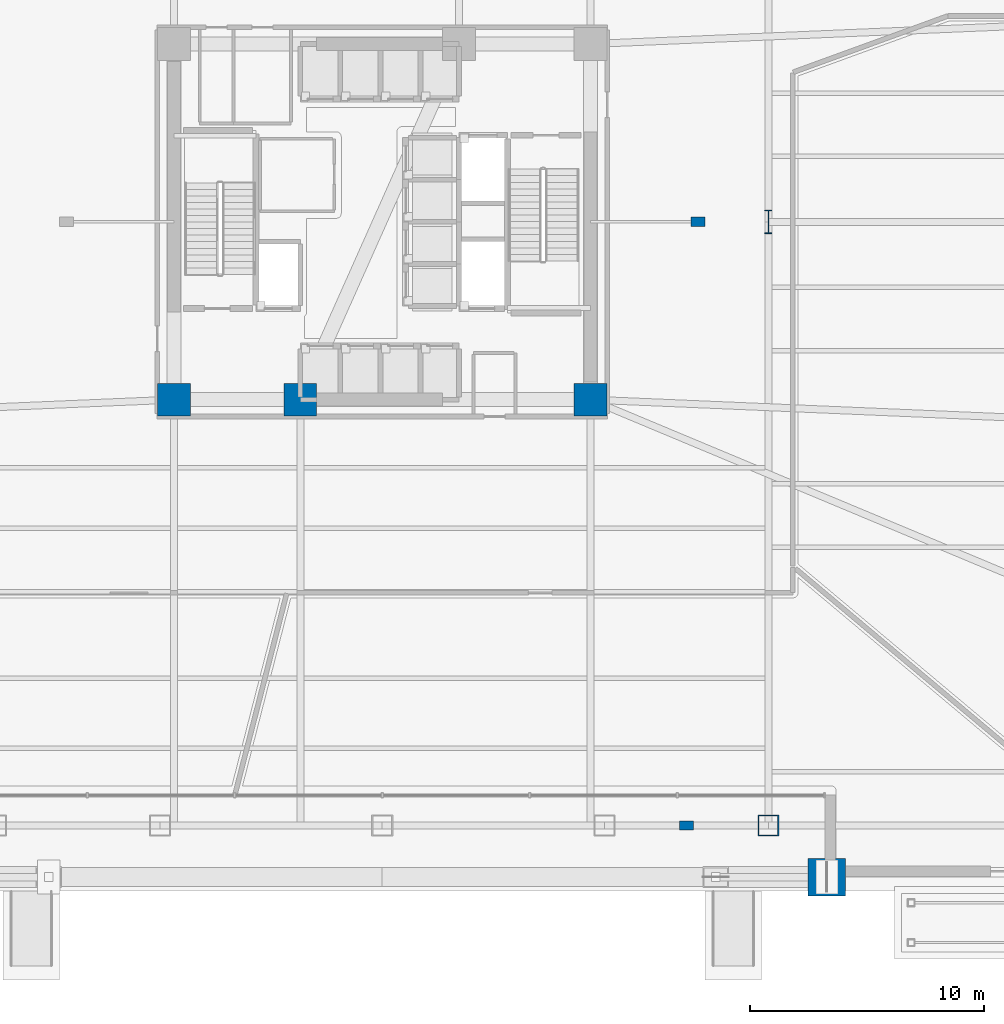
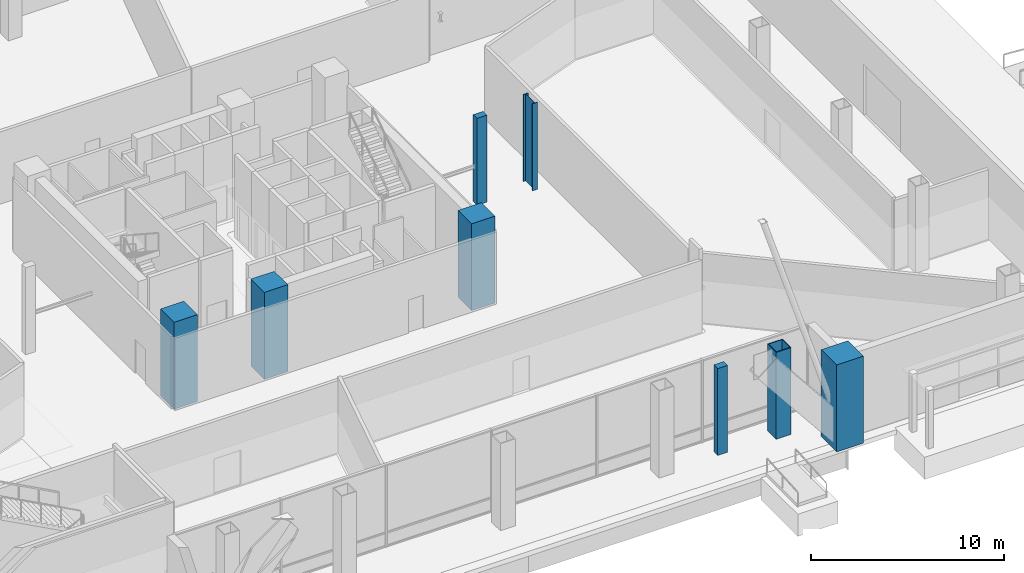
# One storey, part 3 of 27: 8 columns.
"""IFC4 building model written with IfcOpenShell, lengths in metres."""

from ifc_helpers import new_model, si_unit, direction, frame, origin, origin_2d, place, context, subcontext, project, spatial, rectangle, hollow_rectangle, i_section, extrude, material, material_profile, profile_set, type_object, element, save


model = new_model("IFC4")

# Units and contexts
model_context = context("Model", 3, precision=1e-05, world=origin(), true_north=direction((0.0, 1.0)))
body_context = subcontext(model_context, "Body", "Model", "MODEL_VIEW")
ifc_project = project(units=[si_unit("LENGTHUNIT", "METRE"), si_unit("AREAUNIT", "SQUARE_METRE"), si_unit("VOLUMEUNIT", "CUBIC_METRE"), si_unit("PLANEANGLEUNIT", "RADIAN"), si_unit("MASSUNIT", "GRAM", prefix="KILO")], contexts=[model_context])

# Site, building, storey
site_placement = place(None, origin())
site = spatial("IfcSite", under=ifc_project, at=site_placement, CompositionType="ELEMENT")
building_placement = place(site_placement, origin())
building = spatial("IfcBuilding", under=site, at=building_placement, Name="Tharavind Bronze Gate", CompositionType="ELEMENT")
storey_placement = place(building_placement, origin())
storey = spatial("IfcBuildingStorey", under=building, at=storey_placement, Name="L00", CompositionType="ELEMENT", Elevation=0.0)

# Columns
ifc_material_1 = material(Name="Concrete C70/85", Category="concrete")
ifc_material_profile_1 = material_profile(ifc_material_1, rectangle(XDim=1.39990234375, YDim=1.39990234375, at=origin_2d()), Name="RCCOL1400")
ifc_profile_set_1 = profile_set([ifc_material_profile_1], Name="Concrete C70/85")
column_type_1 = type_object("IfcColumnType", Name="MEGA CORE COLUMN 1400", PredefinedType="COLUMN", material=ifc_profile_set_1)
for number, where, z_axis, x_axis, name in (
    (1, (-8.89990234375, -7.60009765625, 0.0), (0.0, 0.0, 1.0), (1.0, 0.0, 0.0), "L00 core mega column MC1"),
    (2, (-3.5, -7.60009765625, 0.0), (0.0, 0.0, 1.0), (1.0, 0.0, 0.0), "L00 core mega column MC2"),
    (3, (8.89990234375, -7.60009765625, 0.0), (0.0, 0.0, 1.0), (1.0, 0.0, 0.0), "L00 core mega column MC3"),
):
    element("IfcColumn", number, at=place(storey_placement, frame(where, z_axis=z_axis, x_axis=x_axis)), inside=storey, type_object=column_type_1, Name=name, PredefinedType="COLUMN", context=body_context, shape_type="SweptSolid", body=[
        extrude(rectangle(XDim=1.39990234375, YDim=1.39990234375, at=origin_2d()), origin(), (0.0, 0.0, 1.0), 5.5),
    ])
ifc_material_profile_2 = material_profile(ifc_material_1, rectangle(XDim=1.60009765625, YDim=1.60009765625, at=origin_2d()), Name="RCCOL1600")
ifc_profile_set_2 = profile_set([ifc_material_profile_2], Name="Concrete C70/85")
column_type_2 = type_object("IfcColumnType", Name="MEGA CORE COLUMN 1600", PredefinedType="COLUMN", material=ifc_profile_set_2)
column_1_placement = place(storey_placement, frame((19.0, -28.0, 0.0), z_axis=(0.0, 0.0, 1.0), x_axis=(1.0, 0.0, 0.0)))
element("IfcColumn", 4, at=column_1_placement, inside=storey, type_object=column_type_2, Name="L00 podium column ARCHE", PredefinedType="COLUMN", context=body_context, shape_type="SweptSolid", body=[
    extrude(rectangle(XDim=1.60009765625, YDim=1.60009765625, at=origin_2d()), origin(), (0.0, 0.0, 1.0), 5.5),
])
ifc_material_2 = material(Name="Steel S460", Category="steel")
ifc_material_profile_3 = material_profile(ifc_material_2, hollow_rectangle(XDim=0.89990234375, YDim=0.89990234375, WallThickness=0.050048828125, at=origin_2d()), Name="SHS900X50")
ifc_profile_set_3 = profile_set([ifc_material_profile_3], Name="Steel S460")
column_type_3 = type_object("IfcColumnType", Name="PERIMETER BOX COLUMN SHS900", PredefinedType="COLUMN", material=ifc_profile_set_3)
column_2_placement = place(storey_placement, frame((16.5, -25.800048828125, 0.0), z_axis=(0.0, 0.0, 1.0), x_axis=(1.0, 0.0, 0.0)))
element("IfcColumn", 5, at=column_2_placement, inside=storey, type_object=column_type_3, Name="L00 podium column PS56", PredefinedType="COLUMN", context=body_context, shape_type="SweptSolid", body=[
    extrude(hollow_rectangle(XDim=0.89990234375, YDim=0.89990234375, WallThickness=0.050048828125, at=origin_2d()), origin(), (0.0, 0.0, 1.0), 5.5),
])
ifc_material_3 = material(Name="Concrete C60/75", Category="concrete")
ifc_material_profile_4 = material_profile(ifc_material_3, rectangle(XDim=0.60009765625, YDim=0.39990234375, at=origin_2d()), Name="RCPIL600X400")
ifc_profile_set_4 = profile_set([ifc_material_profile_4], Name="Concrete C60/75")
column_type_4 = type_object("IfcColumnType", Name="PILASTER COLUMN 600X400", PredefinedType="PILASTER", material=ifc_profile_set_4)
for number, where, z_axis, x_axis, name in (
    (6, (13.5, 0.0, 0.0), (0.0, 0.0, 1.0), (1.0, 0.0, 0.0), "L00 structural pilaster PILE"),
    (7, (13.0, -25.800048828125, 0.0), (0.0, 0.0, 1.0), (1.0, 0.0, 0.0), "L00 structural pilaster PILS"),
):
    element("IfcColumn", number, at=place(storey_placement, frame(where, z_axis=z_axis, x_axis=x_axis)), inside=storey, type_object=column_type_4, Name=name, PredefinedType="PILASTER", context=body_context, shape_type="SweptSolid", body=[
        extrude(rectangle(XDim=0.60009765625, YDim=0.39990234375, at=origin_2d()), origin(), (0.0, 0.0, 1.0), 5.5),
    ])
ifc_material_profile_5 = material_profile(ifc_material_2, i_section(OverallWidth=0.302001953125, OverallDepth=1.008056640625, WebThickness=0.02099609375, FlangeThickness=0.0400390625, at=origin_2d()), Name="HE1000M")
ifc_profile_set_5 = profile_set([ifc_material_profile_5], Name="Steel S460")
column_type_5 = type_object("IfcColumnType", Name="PODIUM HALL COLUMN HE1000M", PredefinedType="COLUMN", material=ifc_profile_set_5)
column_3_placement = place(storey_placement, frame((16.5, 0.0, 0.0), z_axis=(0.0, 0.0, 1.0), x_axis=(1.0, 0.0, 0.0)))
element("IfcColumn", 8, at=column_3_placement, inside=storey, type_object=column_type_5, Name="L00 podium column PME0", PredefinedType="COLUMN", context=body_context, shape_type="SweptSolid", body=[
    extrude(i_section(OverallWidth=0.302001953125, OverallDepth=1.008056640625, WebThickness=0.02099609375, FlangeThickness=0.0400390625, at=origin_2d()), origin(), (0.0, 0.0, 1.0), 5.5),
])

save(model, "model.ifc")
